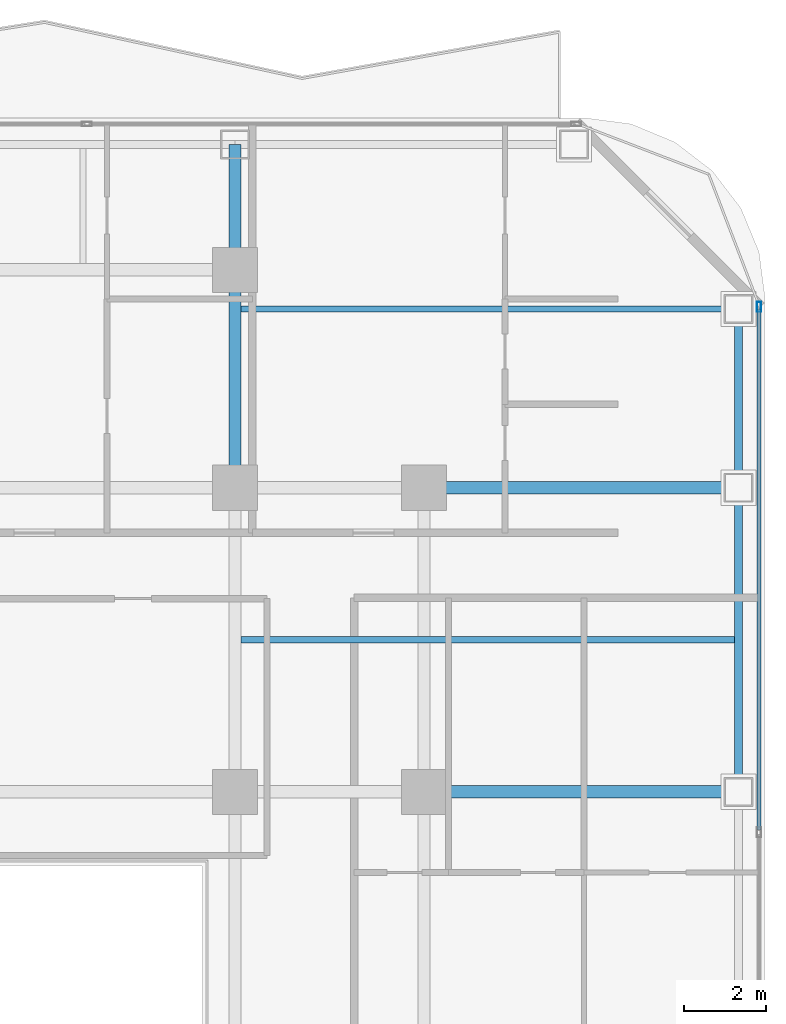
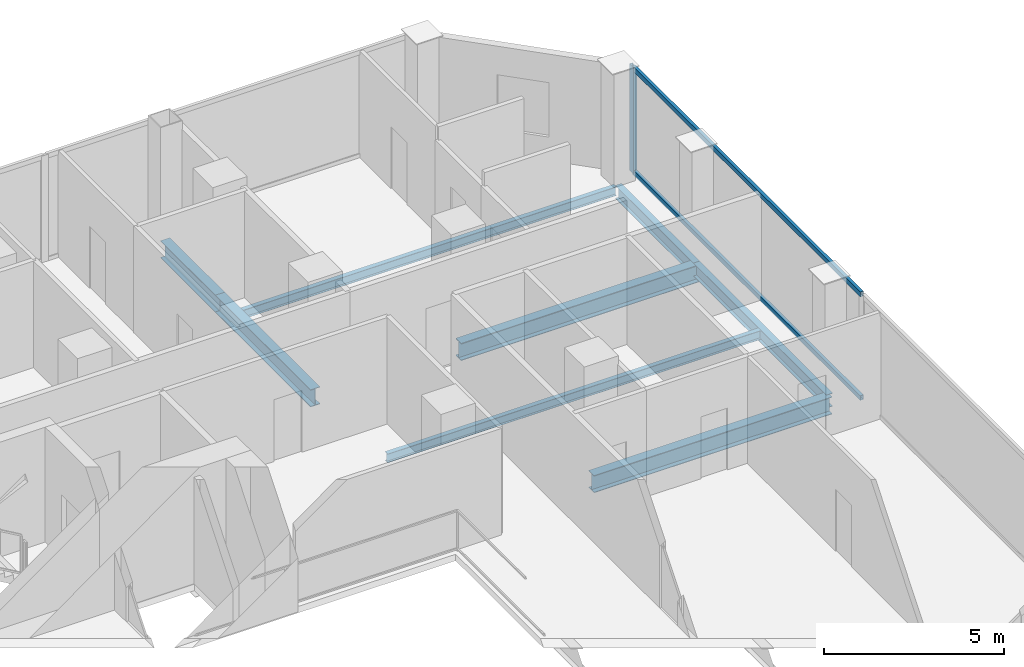
# One storey, part 17 of 27: 8 beams, 3 members, 1 element without a shape of its own.
"""IFC4 building model written with IfcOpenShell, lengths in metres."""

from ifc_helpers import new_model, si_unit, direction, frame, origin, origin_2d, place, context, subcontext, project, spatial, hollow_rectangle, i_section, extrude, material, layer, layer_set, material_profile, profile_set, type_object, element, aggregate, save


model = new_model("IFC4")

# Units and contexts
model_context = context("Model", 3, precision=1e-05, world=origin(), true_north=direction((0.0, 1.0)))
body_context = subcontext(model_context, "Body", "Model", "MODEL_VIEW")
ifc_project = project(units=[si_unit("LENGTHUNIT", "METRE"), si_unit("AREAUNIT", "SQUARE_METRE"), si_unit("VOLUMEUNIT", "CUBIC_METRE"), si_unit("PLANEANGLEUNIT", "RADIAN"), si_unit("MASSUNIT", "GRAM", prefix="KILO")], contexts=[model_context])

# Site, building, storey
site_placement = place(None, origin())
site = spatial("IfcSite", under=ifc_project, at=site_placement, CompositionType="ELEMENT")
building_placement = place(site_placement, origin())
building = spatial("IfcBuilding", under=site, at=building_placement, Name="Khorvyn Point Tower", CompositionType="ELEMENT")
storey_placement = place(building_placement, frame((0.0, 0.0, 164.10009765625)))
storey = spatial("IfcBuildingStorey", under=building, at=storey_placement, Name="L40", CompositionType="ELEMENT", Elevation=164.10009765625)

# Curtain wall, members
ifc_material_1 = material(Name="Anodised aluminium 6063-T6 and laminated Low-E glass", Category="aluminium")
ifc_layer = layer(ifc_material_1, 0.18994140625)
ifc_layer_set = layer_set([ifc_layer], Name="Stick-Built Acoustic Curtain Wall CW-SYS-03")
curtain_wall_type = type_object("IfcCurtainWallType", Name="Stick-Built Acoustic Curtain Wall CW-SYS-03", PredefinedType="NOTDEFINED", material=ifc_layer_set)
curtain_wall_placement = place(storey_placement, origin())
curtain_wall = element("IfcCurtainWall", 1, at=curtain_wall_placement, inside=storey, type_object=curtain_wall_type, Name="Curtain Wall", PredefinedType="NOTDEFINED")
ifc_material_2 = material(Name="Anodised aluminium 6063-T6", Category="aluminium")
ifc_material_profile_1 = material_profile(ifc_material_2, hollow_rectangle(XDim=0.10009765625, YDim=0.239990234375, WallThickness=0.0048828125, at=origin_2d()))
ifc_profile_set_1 = profile_set([ifc_material_profile_1], Name="Anodised aluminium 6063-T6 ALU-MUL-100x240")
member_type_1 = type_object("IfcMemberType", Name="Anodised Aluminium 6063-T6 Mullion ALU-MUL-100x240", PredefinedType="MULLION", material=ifc_profile_set_1)
member_1_placement = place(storey_placement, frame((27.550048828125, 19.199951171875, 0.0), z_axis=(0.0, 0.0, 1.0), x_axis=(1.0, 0.0, 0.0)))
member_1 = element("IfcMember", 2, at=member_1_placement, type_object=member_type_1, Name="Transom", PredefinedType="MULLION", context=body_context, shape_type="SweptSolid", body=[
    extrude(hollow_rectangle(XDim=0.10009765625, YDim=0.239990234375, WallThickness=0.0048828125, at=origin_2d()), origin(), (0.0, 0.0, 1.0), 3.619873046875),
])
ifc_material_profile_2 = material_profile(ifc_material_2, hollow_rectangle(XDim=0.10009765625, YDim=0.159912109375, WallThickness=0.00439453125, at=origin_2d()))
ifc_profile_set_2 = profile_set([ifc_material_profile_2], Name="Anodised aluminium 6063-T6 ALU-TRN-100x160")
member_type_2 = type_object("IfcMemberType", Name="Anodised Aluminium 6063-T6 Transom ALU-TRN-100x160", PredefinedType="USERDEFINED", material=ifc_profile_set_2)
member_2_placement = place(storey_placement, frame((27.550048828125, 19.14990234375, 0.0498046875), z_axis=(0.0, -1.0, 0.0), x_axis=(1.0, 0.0, 0.0)))
member_2 = element("IfcMember", 3, at=member_2_placement, type_object=member_type_2, Name="Transom", ObjectType="TRANSOM", PredefinedType="USERDEFINED", context=body_context, shape_type="SweptSolid", body=[
    extrude(hollow_rectangle(XDim=0.10009765625, YDim=0.159912109375, WallThickness=0.00439453125, at=origin_2d()), origin(), (0.0, 0.0, 1.0), 12.683349609375),
])
member_3_placement = place(storey_placement, frame((27.550048828125, 19.14990234375, 3.56982421875), z_axis=(0.0, -1.0, 0.0), x_axis=(1.0, 0.0, 0.0)))
member_3 = element("IfcMember", 4, at=member_3_placement, type_object=member_type_2, Name="Transom", ObjectType="TRANSOM", PredefinedType="USERDEFINED", context=body_context, shape_type="SweptSolid", body=[
    extrude(hollow_rectangle(XDim=0.10009765625, YDim=0.159912109375, WallThickness=0.00439453125, at=origin_2d()), origin(), (0.0, 0.0, 1.0), 12.683349609375),
])
aggregate(curtain_wall, [member_1, member_2, member_3])

# Beams
ifc_material_3 = material(Name="Steel S355", Category="steel")
ifc_material_profile_3 = material_profile(ifc_material_3, i_section(OverallWidth=0.300048828125, OverallDepth=0.587890625, WebThickness=0.011962890625, FlangeThickness=0.02001953125, at=origin_2d()))
ifc_profile_set_3 = profile_set([ifc_material_profile_3], Name="Steel S355 H588x300x12x20")
beam_type_1 = type_object("IfcBeamType", Name="Steel S355 Beam H588x300x12x20", PredefinedType="BEAM", material=ifc_profile_set_3)
for number, where, z_axis, x_axis, name in (
    (5, (19.39990234375, 14.800048828125, -0.51416015625), (1.0, 0.0, 0.0), (0.0, 1.0, 0.0), "Beam"),
    (6, (19.39990234375, 7.39990234375, -0.51416015625), (1.0, 0.0, 0.0), (0.0, 1.0, 0.0), "Beam"),
):
    element("IfcBeam", number, at=place(storey_placement, frame(where, z_axis=z_axis, x_axis=x_axis)), inside=storey, type_object=beam_type_1, Name=name, PredefinedType="BEAM", context=body_context, shape_type="SweptSolid", body=[
        extrude(i_section(OverallWidth=0.300048828125, OverallDepth=0.587890625, WebThickness=0.011962890625, FlangeThickness=0.02001953125, at=origin_2d()), origin(), (0.0, 0.0, 1.0), 7.650146484375),
    ])
beam_1_placement = place(storey_placement, frame((14.800048828125, 14.800048828125, -0.51416015625), z_axis=(0.0, 1.0, 0.0), x_axis=(-1.0, 0.0, 0.0)))
element("IfcBeam", 7, at=beam_1_placement, inside=storey, type_object=beam_type_1, Name="Beam", PredefinedType="BEAM", context=body_context, shape_type="SweptSolid", body=[
    extrude(i_section(OverallWidth=0.300048828125, OverallDepth=0.587890625, WebThickness=0.011962890625, FlangeThickness=0.02001953125, at=origin_2d()), origin(), (0.0, 0.0, 1.0), 5.300048828125),
])
beam_2_placement = place(storey_placement, frame((14.800048828125, 20.10009765625, -0.51416015625), z_axis=(0.0, 1.0, 0.0), x_axis=(-1.0, 0.0, 0.0)))
element("IfcBeam", 8, at=beam_2_placement, inside=storey, type_object=beam_type_1, Name="Beam", PredefinedType="BEAM", context=body_context, shape_type="SweptSolid", body=[
    extrude(i_section(OverallWidth=0.300048828125, OverallDepth=0.587890625, WebThickness=0.011962890625, FlangeThickness=0.02001953125, at=origin_2d()), origin(), (0.0, 0.0, 1.0), 3.0498046875),
])
ifc_material_profile_4 = material_profile(ifc_material_3, i_section(OverallWidth=0.14990234375, OverallDepth=0.300048828125, WebThickness=0.006591796875, FlangeThickness=0.009033203125, at=origin_2d()))
ifc_profile_set_4 = profile_set([ifc_material_profile_4], Name="Steel S355 H300x150x6.5x9")
beam_type_2 = type_object("IfcBeamType", Name="Steel S355 Joist H300x150x6.5x9", PredefinedType="JOIST", material=ifc_profile_set_4)
for number, where, z_axis, x_axis, name in (
    (9, (14.949951171875, 11.10009765625, -0.3701171875), (1.0, 0.0, 0.0), (0.0, 1.0, 0.0), "Beam"),
    (10, (14.949951171875, 19.14990234375, -0.3701171875), (1.0, 0.0, 0.0), (0.0, 1.0, 0.0), "Beam"),
):
    element("IfcBeam", number, at=place(storey_placement, frame(where, z_axis=z_axis, x_axis=x_axis)), inside=storey, type_object=beam_type_2, Name=name, PredefinedType="JOIST", context=body_context, shape_type="SweptSolid", body=[
        extrude(i_section(OverallWidth=0.14990234375, OverallDepth=0.300048828125, WebThickness=0.006591796875, FlangeThickness=0.009033203125, at=origin_2d()), origin(), (0.0, 0.0, 1.0), 12.0),
    ])
ifc_material_profile_5 = material_profile(ifc_material_3, i_section(OverallWidth=0.199951171875, OverallDepth=0.449951171875, WebThickness=0.009033203125, FlangeThickness=0.013916015625, at=origin_2d()))
ifc_profile_set_5 = profile_set([ifc_material_profile_5], Name="Steel S355 H450x200x9x14")
beam_type_3 = type_object("IfcBeamType", Name="Steel S355 Spandrel H450x200x9x14", PredefinedType="SPANDREL", material=ifc_profile_set_5)
beam_3_placement = place(storey_placement, frame((27.050048828125, 7.39990234375, -0.445068359375), z_axis=(0.0, 1.0, 0.0), x_axis=(-1.0, 0.0, 0.0)))
element("IfcBeam", 11, at=beam_3_placement, inside=storey, type_object=beam_type_3, Name="Beam", PredefinedType="SPANDREL", context=body_context, shape_type="SweptSolid", body=[
    extrude(i_section(OverallWidth=0.199951171875, OverallDepth=0.449951171875, WebThickness=0.009033203125, FlangeThickness=0.013916015625, at=origin_2d()), origin(), (0.0, 0.0, 1.0), 7.400146484375),
])
beam_4_placement = place(storey_placement, frame((27.050048828125, 14.800048828125, -0.445068359375), z_axis=(0.0, 1.0, 0.0), x_axis=(-1.0, 0.0, 0.0)))
element("IfcBeam", 12, at=beam_4_placement, inside=storey, type_object=beam_type_3, Name="Beam", PredefinedType="SPANDREL", context=body_context, shape_type="SweptSolid", body=[
    extrude(i_section(OverallWidth=0.199951171875, OverallDepth=0.449951171875, WebThickness=0.009033203125, FlangeThickness=0.013916015625, at=origin_2d()), origin(), (0.0, 0.0, 1.0), 4.349853515625),
])

save(model, "model.ifc")
